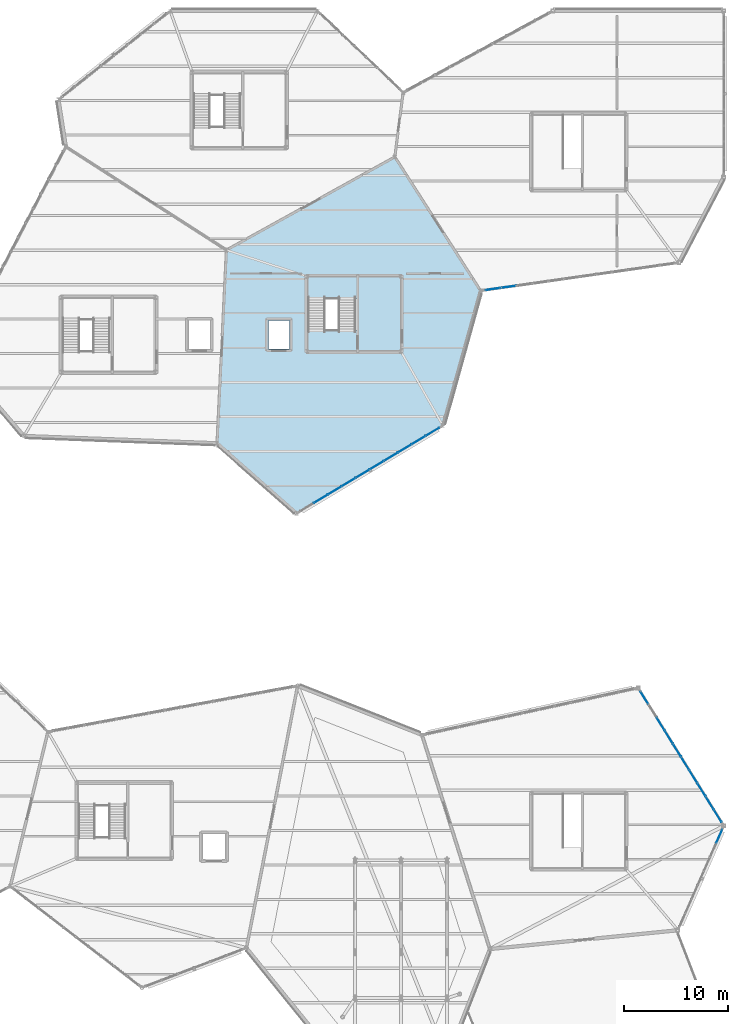
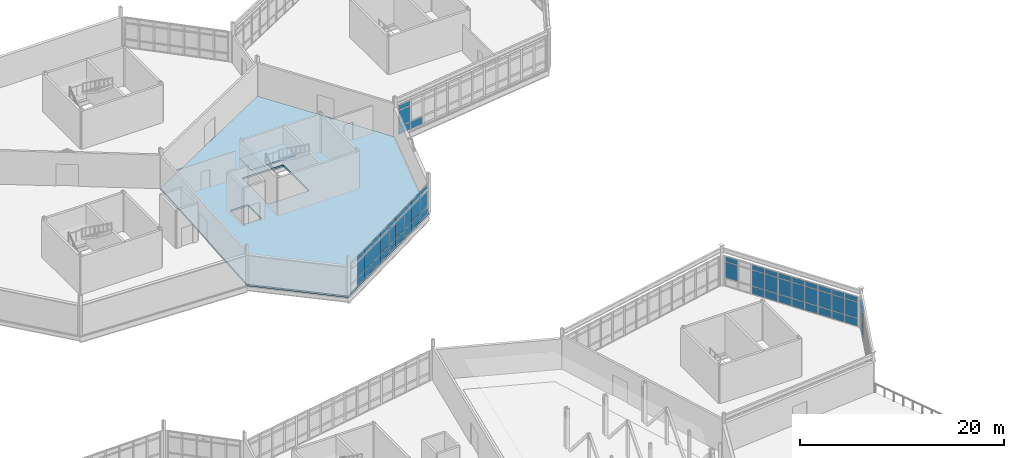
# One storey, part 81 of 114: 60 plates, 2 slabs, 5 elements without a shape of their own.
"""IFC4 building model written with IfcOpenShell, lengths in metres."""

from ifc_helpers import new_model, si_unit, direction, frame, origin, origin_2d, place, context, subcontext, project, spatial, polyline, rectangle, outline, extrude, material, layer, layer_set, type_object, element, aggregate, save


model = new_model("IFC4")

# Units and contexts
model_context = context("Model", 3, precision=1e-05, world=origin(), true_north=direction((0.0, 1.0)))
body_context = subcontext(model_context, "Body", "Model", "MODEL_VIEW")
ifc_project = project(units=[si_unit("LENGTHUNIT", "METRE"), si_unit("AREAUNIT", "SQUARE_METRE"), si_unit("VOLUMEUNIT", "CUBIC_METRE"), si_unit("PLANEANGLEUNIT", "RADIAN"), si_unit("MASSUNIT", "GRAM", prefix="KILO")], contexts=[model_context])

# Site, building, storey
site_placement = place(None, origin())
site = spatial("IfcSite", under=ifc_project, at=site_placement, CompositionType="ELEMENT")
building_placement = place(site_placement, origin())
building = spatial("IfcBuilding", under=site, at=building_placement, Name="Tameran Prism Museum", CompositionType="ELEMENT")
storey_placement = place(building_placement, frame((0.0, 0.0, 10.199951171875)))
storey = spatial("IfcBuildingStorey", under=building, at=storey_placement, Name="L02", CompositionType="ELEMENT", Elevation=10.199951171875)

# Curtain wall, plates
ifc_material_1 = material(Name="Anodised Aluminium 6063-T6 and Cyclone Solar Glass", Category="aluminium")
curtain_wall_type_1 = type_object("IfcCurtainWallType", Name="CW-FAC-1563x362", PredefinedType="USERDEFINED", material=ifc_material_1)
curtain_wall_1_placement = place(storey_placement, origin())
curtain_wall_1 = element("IfcCurtainWall", 1, at=curtain_wall_1_placement, inside=storey, type_object=curtain_wall_type_1, Name="Unitised Curtain Wall CW-099", ObjectType="UNITISED CURTAIN WALL", PredefinedType="USERDEFINED")
ifc_material_2 = material(Name="Low-E Laminated Solar Glass", Category="glass")
ifc_layer_1 = layer(ifc_material_2, 0.028076171875)
ifc_layer_set_1 = layer_set([ifc_layer_1])
plate_type_1 = type_object("IfcPlateType", Name="CW-PNL-G28", PredefinedType="CURTAIN_PANEL", material=ifc_layer_set_1)
plate_1_placement = place(storey_placement, frame((138.51611328125, 71.709716796875, 0.06494140625), z_axis=(0.0, 0.0, 1.0), x_axis=(-0.857492925713, -0.514495755426, 0.0)))
plate_1 = element("IfcPlate", 2, at=plate_1_placement, type_object=plate_type_1, Name="CW-099 panel 1.1", PredefinedType="CURTAIN_PANEL", context=body_context, shape_type="SweptSolid", body=[
    extrude(rectangle(XDim=1.465087890625, YDim=0.028076171875, at=origin_2d()), origin(), (0.0, 0.0, 1.0), 0.902587890625),
])
plate_2_placement = place(storey_placement, frame((138.51611328125, 71.709716796875, 1.032470703125), z_axis=(0.0, 0.0, 1.0), x_axis=(-0.857492925713, -0.514495755426, 0.0)))
plate_2 = element("IfcPlate", 3, at=plate_2_placement, type_object=plate_type_1, Name="CW-099 panel 1.2", PredefinedType="CURTAIN_PANEL", context=body_context, shape_type="SweptSolid", body=[
    extrude(rectangle(XDim=1.465087890625, YDim=0.028076171875, at=origin_2d()), origin(), (0.0, 0.0, 1.0), 1.875),
])
plate_3_placement = place(storey_placement, frame((138.51611328125, 71.709716796875, 2.97265625), z_axis=(0.0, 0.0, 1.0), x_axis=(-0.857492925713, -0.514495755426, 0.0)))
plate_3 = element("IfcPlate", 4, at=plate_3_placement, type_object=plate_type_1, Name="CW-099 panel 1.3", PredefinedType="CURTAIN_PANEL", context=body_context, shape_type="SweptSolid", body=[
    extrude(rectangle(XDim=1.465087890625, YDim=0.028076171875, at=origin_2d()), origin(), (0.0, 0.0, 1.0), 0.58251953125),
])
plate_4_placement = place(storey_placement, frame((137.18994140625, 70.9140625, 0.06494140625), z_axis=(0.0, 0.0, 1.0), x_axis=(-0.857492925713, -0.514495755426, 0.0)))
plate_4 = element("IfcPlate", 5, at=plate_4_placement, type_object=plate_type_1, Name="CW-099 panel 2.1", PredefinedType="CURTAIN_PANEL", context=body_context, shape_type="SweptSolid", body=[
    extrude(rectangle(XDim=1.497802734375, YDim=0.028076171875, at=origin_2d()), origin(), (0.0, 0.0, 1.0), 0.902587890625),
])
plate_5_placement = place(storey_placement, frame((137.18994140625, 70.9140625, 1.032470703125), z_axis=(0.0, 0.0, 1.0), x_axis=(-0.857492925713, -0.514495755426, 0.0)))
plate_5 = element("IfcPlate", 6, at=plate_5_placement, type_object=plate_type_1, Name="CW-099 panel 2.2", PredefinedType="CURTAIN_PANEL", context=body_context, shape_type="SweptSolid", body=[
    extrude(rectangle(XDim=1.497802734375, YDim=0.028076171875, at=origin_2d()), origin(), (0.0, 0.0, 1.0), 1.875),
])
plate_6_placement = place(storey_placement, frame((137.18994140625, 70.9140625, 2.97265625), z_axis=(0.0, 0.0, 1.0), x_axis=(-0.857492925713, -0.514495755426, 0.0)))
plate_6 = element("IfcPlate", 7, at=plate_6_placement, type_object=plate_type_1, Name="CW-099 panel 2.3", PredefinedType="CURTAIN_PANEL", context=body_context, shape_type="SweptSolid", body=[
    extrude(rectangle(XDim=1.497802734375, YDim=0.028076171875, at=origin_2d()), origin(), (0.0, 0.0, 1.0), 0.58251953125),
])
plate_7_placement = place(storey_placement, frame((135.85009765625, 70.110107421875, 0.06494140625), z_axis=(0.0, 0.0, 1.0), x_axis=(-0.857492925713, -0.514495755426, 0.0)))
plate_7 = element("IfcPlate", 8, at=plate_7_placement, type_object=plate_type_1, Name="CW-099 panel 3.1", PredefinedType="CURTAIN_PANEL", context=body_context, shape_type="SweptSolid", body=[
    extrude(rectangle(XDim=1.497802734375, YDim=0.028076171875, at=origin_2d()), origin(), (0.0, 0.0, 1.0), 0.902587890625),
])
plate_8_placement = place(storey_placement, frame((135.85009765625, 70.110107421875, 1.032470703125), z_axis=(0.0, 0.0, 1.0), x_axis=(-0.857492925713, -0.514495755426, 0.0)))
plate_8 = element("IfcPlate", 9, at=plate_8_placement, type_object=plate_type_1, Name="CW-099 panel 3.2", PredefinedType="CURTAIN_PANEL", context=body_context, shape_type="SweptSolid", body=[
    extrude(rectangle(XDim=1.497802734375, YDim=0.028076171875, at=origin_2d()), origin(), (0.0, 0.0, 1.0), 1.875),
])
plate_9_placement = place(storey_placement, frame((135.85009765625, 70.110107421875, 2.97265625), z_axis=(0.0, 0.0, 1.0), x_axis=(-0.857492925713, -0.514495755426, 0.0)))
plate_9 = element("IfcPlate", 10, at=plate_9_placement, type_object=plate_type_1, Name="CW-099 panel 3.3", PredefinedType="CURTAIN_PANEL", context=body_context, shape_type="SweptSolid", body=[
    extrude(rectangle(XDim=1.497802734375, YDim=0.028076171875, at=origin_2d()), origin(), (0.0, 0.0, 1.0), 0.58251953125),
])
plate_10_placement = place(storey_placement, frame((134.510009765625, 69.305908203125, 0.06494140625), z_axis=(0.0, 0.0, 1.0), x_axis=(-0.857492925713, -0.514495755426, 0.0)))
plate_10 = element("IfcPlate", 11, at=plate_10_placement, type_object=plate_type_1, Name="CW-099 panel 4.1", PredefinedType="CURTAIN_PANEL", context=body_context, shape_type="SweptSolid", body=[
    extrude(rectangle(XDim=1.497802734375, YDim=0.028076171875, at=origin_2d()), origin(), (0.0, 0.0, 1.0), 0.902587890625),
])
plate_11_placement = place(storey_placement, frame((134.510009765625, 69.305908203125, 1.032470703125), z_axis=(0.0, 0.0, 1.0), x_axis=(-0.857492925713, -0.514495755426, 0.0)))
plate_11 = element("IfcPlate", 12, at=plate_11_placement, type_object=plate_type_1, Name="CW-099 panel 4.2", PredefinedType="CURTAIN_PANEL", context=body_context, shape_type="SweptSolid", body=[
    extrude(rectangle(XDim=1.497802734375, YDim=0.028076171875, at=origin_2d()), origin(), (0.0, 0.0, 1.0), 1.875),
])
plate_12_placement = place(storey_placement, frame((134.510009765625, 69.305908203125, 2.97265625), z_axis=(0.0, 0.0, 1.0), x_axis=(-0.857492925713, -0.514495755426, 0.0)))
plate_12 = element("IfcPlate", 13, at=plate_12_placement, type_object=plate_type_1, Name="CW-099 panel 4.3", PredefinedType="CURTAIN_PANEL", context=body_context, shape_type="SweptSolid", body=[
    extrude(rectangle(XDim=1.497802734375, YDim=0.028076171875, at=origin_2d()), origin(), (0.0, 0.0, 1.0), 0.58251953125),
])
plate_13_placement = place(storey_placement, frame((133.169921875, 68.501953125, 0.06494140625), z_axis=(0.0, 0.0, 1.0), x_axis=(-0.857492925713, -0.514495755426, 0.0)))
plate_13 = element("IfcPlate", 14, at=plate_13_placement, type_object=plate_type_1, Name="CW-099 panel 5.1", PredefinedType="CURTAIN_PANEL", context=body_context, shape_type="SweptSolid", body=[
    extrude(rectangle(XDim=1.497802734375, YDim=0.028076171875, at=origin_2d()), origin(), (0.0, 0.0, 1.0), 0.902587890625),
])
plate_14_placement = place(storey_placement, frame((133.169921875, 68.501953125, 1.032470703125), z_axis=(0.0, 0.0, 1.0), x_axis=(-0.857492925713, -0.514495755426, 0.0)))
plate_14 = element("IfcPlate", 15, at=plate_14_placement, type_object=plate_type_1, Name="CW-099 panel 5.2", PredefinedType="CURTAIN_PANEL", context=body_context, shape_type="SweptSolid", body=[
    extrude(rectangle(XDim=1.497802734375, YDim=0.028076171875, at=origin_2d()), origin(), (0.0, 0.0, 1.0), 1.875),
])
plate_15_placement = place(storey_placement, frame((133.169921875, 68.501953125, 2.97265625), z_axis=(0.0, 0.0, 1.0), x_axis=(-0.857492925713, -0.514495755426, 0.0)))
plate_15 = element("IfcPlate", 16, at=plate_15_placement, type_object=plate_type_1, Name="CW-099 panel 5.3", PredefinedType="CURTAIN_PANEL", context=body_context, shape_type="SweptSolid", body=[
    extrude(rectangle(XDim=1.497802734375, YDim=0.028076171875, at=origin_2d()), origin(), (0.0, 0.0, 1.0), 0.58251953125),
])
plate_16_placement = place(storey_placement, frame((131.830078125, 67.697998046875, 0.06494140625), z_axis=(0.0, 0.0, 1.0), x_axis=(-0.857492925713, -0.514495755426, 0.0)))
plate_16 = element("IfcPlate", 17, at=plate_16_placement, type_object=plate_type_1, Name="CW-099 panel 6.1", PredefinedType="CURTAIN_PANEL", context=body_context, shape_type="SweptSolid", body=[
    extrude(rectangle(XDim=1.497802734375, YDim=0.028076171875, at=origin_2d()), origin(), (0.0, 0.0, 1.0), 0.902587890625),
])
plate_17_placement = place(storey_placement, frame((131.830078125, 67.697998046875, 1.032470703125), z_axis=(0.0, 0.0, 1.0), x_axis=(-0.857492925713, -0.514495755426, 0.0)))
plate_17 = element("IfcPlate", 18, at=plate_17_placement, type_object=plate_type_1, Name="CW-099 panel 6.2", PredefinedType="CURTAIN_PANEL", context=body_context, shape_type="SweptSolid", body=[
    extrude(rectangle(XDim=1.497802734375, YDim=0.028076171875, at=origin_2d()), origin(), (0.0, 0.0, 1.0), 1.875),
])
plate_18_placement = place(storey_placement, frame((131.830078125, 67.697998046875, 2.97265625), z_axis=(0.0, 0.0, 1.0), x_axis=(-0.857492925713, -0.514495755426, 0.0)))
plate_18 = element("IfcPlate", 19, at=plate_18_placement, type_object=plate_type_1, Name="CW-099 panel 6.3", PredefinedType="CURTAIN_PANEL", context=body_context, shape_type="SweptSolid", body=[
    extrude(rectangle(XDim=1.497802734375, YDim=0.028076171875, at=origin_2d()), origin(), (0.0, 0.0, 1.0), 0.58251953125),
])
plate_19_placement = place(storey_placement, frame((130.489990234375, 66.89404296875, 0.06494140625), z_axis=(0.0, 0.0, 1.0), x_axis=(-0.857492925713, -0.514495755426, 0.0)))
plate_19 = element("IfcPlate", 20, at=plate_19_placement, type_object=plate_type_1, Name="CW-099 panel 7.1", PredefinedType="CURTAIN_PANEL", context=body_context, shape_type="SweptSolid", body=[
    extrude(rectangle(XDim=1.497802734375, YDim=0.028076171875, at=origin_2d()), origin(), (0.0, 0.0, 1.0), 0.902587890625),
])
plate_20_placement = place(storey_placement, frame((130.489990234375, 66.89404296875, 1.032470703125), z_axis=(0.0, 0.0, 1.0), x_axis=(-0.857492925713, -0.514495755426, 0.0)))
plate_20 = element("IfcPlate", 21, at=plate_20_placement, type_object=plate_type_1, Name="CW-099 panel 7.2", PredefinedType="CURTAIN_PANEL", context=body_context, shape_type="SweptSolid", body=[
    extrude(rectangle(XDim=1.497802734375, YDim=0.028076171875, at=origin_2d()), origin(), (0.0, 0.0, 1.0), 1.875),
])
plate_21_placement = place(storey_placement, frame((130.489990234375, 66.89404296875, 2.97265625), z_axis=(0.0, 0.0, 1.0), x_axis=(-0.857492925713, -0.514495755426, 0.0)))
plate_21 = element("IfcPlate", 22, at=plate_21_placement, type_object=plate_type_1, Name="CW-099 panel 7.3", PredefinedType="CURTAIN_PANEL", context=body_context, shape_type="SweptSolid", body=[
    extrude(rectangle(XDim=1.497802734375, YDim=0.028076171875, at=origin_2d()), origin(), (0.0, 0.0, 1.0), 0.58251953125),
])
plate_22_placement = place(storey_placement, frame((129.14990234375, 66.090087890625, 0.06494140625), z_axis=(0.0, 0.0, 1.0), x_axis=(-0.857492925713, -0.514495755426, 0.0)))
plate_22 = element("IfcPlate", 23, at=plate_22_placement, type_object=plate_type_1, Name="CW-099 panel 8.1", PredefinedType="CURTAIN_PANEL", context=body_context, shape_type="SweptSolid", body=[
    extrude(rectangle(XDim=1.497802734375, YDim=0.028076171875, at=origin_2d()), origin(), (0.0, 0.0, 1.0), 0.902587890625),
])
plate_23_placement = place(storey_placement, frame((129.14990234375, 66.090087890625, 1.032470703125), z_axis=(0.0, 0.0, 1.0), x_axis=(-0.857492925713, -0.514495755426, 0.0)))
plate_23 = element("IfcPlate", 24, at=plate_23_placement, type_object=plate_type_1, Name="CW-099 panel 8.2", PredefinedType="CURTAIN_PANEL", context=body_context, shape_type="SweptSolid", body=[
    extrude(rectangle(XDim=1.497802734375, YDim=0.028076171875, at=origin_2d()), origin(), (0.0, 0.0, 1.0), 1.875),
])
plate_24_placement = place(storey_placement, frame((129.14990234375, 66.090087890625, 2.97265625), z_axis=(0.0, 0.0, 1.0), x_axis=(-0.857492925713, -0.514495755426, 0.0)))
plate_24 = element("IfcPlate", 25, at=plate_24_placement, type_object=plate_type_1, Name="CW-099 panel 8.3", PredefinedType="CURTAIN_PANEL", context=body_context, shape_type="SweptSolid", body=[
    extrude(rectangle(XDim=1.497802734375, YDim=0.028076171875, at=origin_2d()), origin(), (0.0, 0.0, 1.0), 0.58251953125),
])
plate_25_placement = place(storey_placement, frame((127.81005859375, 65.285888671875, 0.06494140625), z_axis=(0.0, 0.0, 1.0), x_axis=(-0.857492925713, -0.514495755426, 0.0)))
plate_25 = element("IfcPlate", 26, at=plate_25_placement, type_object=plate_type_1, Name="CW-099 panel 9.1", PredefinedType="CURTAIN_PANEL", context=body_context, shape_type="SweptSolid", body=[
    extrude(rectangle(XDim=1.497802734375, YDim=0.028076171875, at=origin_2d()), origin(), (0.0, 0.0, 1.0), 0.902587890625),
])
plate_26_placement = place(storey_placement, frame((127.81005859375, 65.285888671875, 1.032470703125), z_axis=(0.0, 0.0, 1.0), x_axis=(-0.857492925713, -0.514495755426, 0.0)))
plate_26 = element("IfcPlate", 27, at=plate_26_placement, type_object=plate_type_1, Name="CW-099 panel 9.2", PredefinedType="CURTAIN_PANEL", context=body_context, shape_type="SweptSolid", body=[
    extrude(rectangle(XDim=1.497802734375, YDim=0.028076171875, at=origin_2d()), origin(), (0.0, 0.0, 1.0), 1.875),
])
plate_27_placement = place(storey_placement, frame((127.81005859375, 65.285888671875, 2.97265625), z_axis=(0.0, 0.0, 1.0), x_axis=(-0.857492925713, -0.514495755426, 0.0)))
plate_27 = element("IfcPlate", 28, at=plate_27_placement, type_object=plate_type_1, Name="CW-099 panel 9.3", PredefinedType="CURTAIN_PANEL", context=body_context, shape_type="SweptSolid", body=[
    extrude(rectangle(XDim=1.497802734375, YDim=0.028076171875, at=origin_2d()), origin(), (0.0, 0.0, 1.0), 0.58251953125),
])
aggregate(curtain_wall_1, [plate_1, plate_2, plate_3, plate_4, plate_5, plate_6, plate_7, plate_8, plate_9, plate_10, plate_11, plate_12, plate_13, plate_14, plate_15, plate_16, plate_17, plate_18, plate_19, plate_20, plate_21, plate_22, plate_23, plate_24, plate_25, plate_26, plate_27])

ifc_material_3 = material(Name="Anodised Aluminium 6063-T6 and Cyclone Solar Glass", Category="aluminium")
curtain_wall_type_2 = type_object("IfcCurtainWallType", Name="CW-FAC-1843x362", PredefinedType="USERDEFINED", material=ifc_material_3)
curtain_wall_2_placement = place(storey_placement, origin())
curtain_wall_2 = element("IfcCurtainWall", 29, at=curtain_wall_2_placement, inside=storey, type_object=curtain_wall_type_2, Name="Unitised Curtain Wall CW-102", ObjectType="UNITISED CURTAIN WALL", PredefinedType="USERDEFINED")
plate_28_placement = place(storey_placement, frame((145.786865234375, 85.581298828125, 0.080078125), z_axis=(0.0, 0.0, 1.0), x_axis=(-0.990045842067, -0.1407452685, 0.0)))
plate_28 = element("IfcPlate", 30, at=plate_28_placement, type_object=plate_type_1, Name="CW-102 panel 11.1", PredefinedType="CURTAIN_PANEL", context=body_context, shape_type="SweptSolid", body=[
    extrude(rectangle(XDim=1.455810546875, YDim=0.028076171875, at=origin_2d()), origin(), (0.0, 0.0, 1.0), 0.8798828125),
])
plate_29_placement = place(storey_placement, frame((144.2861328125, 85.367919921875, 0.080078125), z_axis=(0.0, 0.0, 1.0), x_axis=(-0.990045842067, -0.1407452685, 0.0)))
plate_29 = element("IfcPlate", 31, at=plate_29_placement, type_object=plate_type_1, Name="CW-102 panel 12.1", PredefinedType="CURTAIN_PANEL", context=body_context, shape_type="SweptSolid", body=[
    extrude(rectangle(XDim=1.415771484375, YDim=0.028076171875, at=origin_2d()), origin(), (0.0, 0.0, 1.0), 0.8798828125),
])
plate_30_placement = place(storey_placement, frame((144.2861328125, 85.367919921875, 1.0400390625), z_axis=(0.0, 0.0, 1.0), x_axis=(-0.990045842067, -0.1407452685, 0.0)))
plate_30 = element("IfcPlate", 32, at=plate_30_placement, type_object=plate_type_1, Name="CW-102 panel 12.2", PredefinedType="CURTAIN_PANEL", context=body_context, shape_type="SweptSolid", body=[
    extrude(rectangle(XDim=1.415771484375, YDim=0.028076171875, at=origin_2d()), origin(), (0.0, 0.0, 1.0), 1.860107421875),
])
plate_31_placement = place(storey_placement, frame((144.2861328125, 85.367919921875, 2.97998046875), z_axis=(0.0, 0.0, 1.0), x_axis=(-0.990045842067, -0.1407452685, 0.0)))
plate_31 = element("IfcPlate", 33, at=plate_31_placement, type_object=plate_type_1, Name="CW-102 panel 12.3", PredefinedType="CURTAIN_PANEL", context=body_context, shape_type="SweptSolid", body=[
    extrude(rectangle(XDim=1.415771484375, YDim=0.028076171875, at=origin_2d()), origin(), (0.0, 0.0, 1.0), 0.56005859375),
])
aggregate(curtain_wall_2, [plate_28, plate_29, plate_30, plate_31])

ifc_material_4 = material(Name="Anodised Aluminium 6063-T6 and Cyclone Solar Glass", Category="aluminium")
curtain_wall_type_3 = type_object("IfcCurtainWallType", Name="CW-FAC-1022x362", PredefinedType="USERDEFINED", material=ifc_material_4)
curtain_wall_3_placement = place(storey_placement, origin())
curtain_wall_3 = element("IfcCurtainWall", 34, at=curtain_wall_3_placement, inside=storey, type_object=curtain_wall_type_3, Name="Unitised Curtain Wall CW-127", ObjectType="UNITISED CURTAIN WALL", PredefinedType="USERDEFINED")
plate_32_placement = place(storey_placement, frame((165.958251953125, 32.99658203125, 0.06494140625), z_axis=(0.0, 0.0, 1.0), x_axis=(-0.402705842024, -0.915329451509, 0.0)))
plate_32 = element("IfcPlate", 35, at=plate_32_placement, type_object=plate_type_1, Name="CW-127 panel 1.1", PredefinedType="CURTAIN_PANEL", context=body_context, shape_type="SweptSolid", body=[
    extrude(rectangle(XDim=1.36328125, YDim=0.028076171875, at=origin_2d()), origin(), (0.0, 0.0, 1.0), 0.902587890625),
])
plate_33_placement = place(storey_placement, frame((165.958251953125, 32.99658203125, 1.032470703125), z_axis=(0.0, 0.0, 1.0), x_axis=(-0.402705842024, -0.915329451509, 0.0)))
plate_33 = element("IfcPlate", 36, at=plate_33_placement, type_object=plate_type_1, Name="CW-127 panel 1.2", PredefinedType="CURTAIN_PANEL", context=body_context, shape_type="SweptSolid", body=[
    extrude(rectangle(XDim=1.36328125, YDim=0.028076171875, at=origin_2d()), origin(), (0.0, 0.0, 1.0), 1.875),
])
plate_34_placement = place(storey_placement, frame((165.958251953125, 32.99658203125, 2.97265625), z_axis=(0.0, 0.0, 1.0), x_axis=(-0.402705842024, -0.915329451509, 0.0)))
plate_34 = element("IfcPlate", 37, at=plate_34_placement, type_object=plate_type_1, Name="CW-127 panel 1.3", PredefinedType="CURTAIN_PANEL", context=body_context, shape_type="SweptSolid", body=[
    extrude(rectangle(XDim=1.36328125, YDim=0.028076171875, at=origin_2d()), origin(), (0.0, 0.0, 1.0), 0.58251953125),
])
aggregate(curtain_wall_3, [plate_32, plate_33, plate_34])

ifc_material_5 = material(Name="Anodised Aluminium 6063-T6 and Cyclone Solar Glass", Category="aluminium")
curtain_wall_type_4 = type_object("IfcCurtainWallType", Name="CW-FAC-1484x362", PredefinedType="USERDEFINED", material=ifc_material_5)
curtain_wall_4_placement = place(storey_placement, origin())
curtain_wall_4 = element("IfcCurtainWall", 38, at=curtain_wall_4_placement, inside=storey, type_object=curtain_wall_type_4, Name="Unitised Curtain Wall CW-128", ObjectType="UNITISED CURTAIN WALL", PredefinedType="USERDEFINED")
ifc_material_6 = material(Name="Cyclone Laminated Solar Glass", Category="glass")
ifc_layer_2 = layer(ifc_material_6, 0.031982421875)
ifc_layer_set_2 = layer_set([ifc_layer_2])
plate_type_2 = type_object("IfcPlateType", Name="CW-PNL-G32", PredefinedType="CURTAIN_PANEL", material=ifc_layer_set_2)
plate_35_placement = place(storey_placement, frame((158.78564453125, 46.2578125, 1.034912109375), z_axis=(0.0, 0.0, 1.0), x_axis=(0.527634577931, -0.849471454595, 0.0)))
plate_35 = element("IfcPlate", 39, at=plate_35_placement, type_object=plate_type_2, Name="CW-128 panel 1.2", PredefinedType="CURTAIN_PANEL", context=body_context, shape_type="SweptSolid", body=[
    extrude(rectangle(XDim=1.37890625, YDim=0.031982421875, at=origin_2d()), origin(), (0.0, 0.0, 1.0), 1.8701171875),
])
plate_36_placement = place(storey_placement, frame((158.78564453125, 46.2578125, 2.97509765625), z_axis=(0.0, 0.0, 1.0), x_axis=(0.527634577931, -0.849471454595, 0.0)))
plate_36 = element("IfcPlate", 40, at=plate_36_placement, type_object=plate_type_2, Name="CW-128 panel 1.3", PredefinedType="CURTAIN_PANEL", context=body_context, shape_type="SweptSolid", body=[
    extrude(rectangle(XDim=1.37890625, YDim=0.031982421875, at=origin_2d()), origin(), (0.0, 0.0, 1.0), 0.574951171875),
])
plate_37_placement = place(storey_placement, frame((160.342529296875, 43.75146484375, 0.070068359375), z_axis=(0.0, 0.0, 1.0), x_axis=(0.527634577931, -0.849471454595, 0.0)))
plate_37 = element("IfcPlate", 41, at=plate_37_placement, type_object=plate_type_2, Name="CW-128 panel 3.1", PredefinedType="CURTAIN_PANEL", context=body_context, shape_type="SweptSolid", body=[
    extrude(rectangle(XDim=1.4140625, YDim=0.031982421875, at=origin_2d()), origin(), (0.0, 0.0, 1.0), 0.89501953125),
])
plate_38_placement = place(storey_placement, frame((160.342529296875, 43.75146484375, 1.034912109375), z_axis=(0.0, 0.0, 1.0), x_axis=(0.527634577931, -0.849471454595, 0.0)))
plate_38 = element("IfcPlate", 42, at=plate_38_placement, type_object=plate_type_2, Name="CW-128 panel 3.2", PredefinedType="CURTAIN_PANEL", context=body_context, shape_type="SweptSolid", body=[
    extrude(rectangle(XDim=1.4140625, YDim=0.031982421875, at=origin_2d()), origin(), (0.0, 0.0, 1.0), 1.8701171875),
])
plate_39_placement = place(storey_placement, frame((160.342529296875, 43.75146484375, 2.97509765625), z_axis=(0.0, 0.0, 1.0), x_axis=(0.527634577931, -0.849471454595, 0.0)))
plate_39 = element("IfcPlate", 43, at=plate_39_placement, type_object=plate_type_2, Name="CW-128 panel 3.3", PredefinedType="CURTAIN_PANEL", context=body_context, shape_type="SweptSolid", body=[
    extrude(rectangle(XDim=1.4140625, YDim=0.031982421875, at=origin_2d()), origin(), (0.0, 0.0, 1.0), 0.574951171875),
])
plate_40_placement = place(storey_placement, frame((161.12548828125, 42.490966796875, 0.070068359375), z_axis=(0.0, 0.0, 1.0), x_axis=(0.527634577931, -0.849471454595, 0.0)))
plate_40 = element("IfcPlate", 44, at=plate_40_placement, type_object=plate_type_2, Name="CW-128 panel 4.1", PredefinedType="CURTAIN_PANEL", context=body_context, shape_type="SweptSolid", body=[
    extrude(rectangle(XDim=1.4140625, YDim=0.031982421875, at=origin_2d()), origin(), (0.0, 0.0, 1.0), 0.89501953125),
])
plate_41_placement = place(storey_placement, frame((161.12548828125, 42.490966796875, 1.034912109375), z_axis=(0.0, 0.0, 1.0), x_axis=(0.527634577931, -0.849471454595, 0.0)))
plate_41 = element("IfcPlate", 45, at=plate_41_placement, type_object=plate_type_2, Name="CW-128 panel 4.2", PredefinedType="CURTAIN_PANEL", context=body_context, shape_type="SweptSolid", body=[
    extrude(rectangle(XDim=1.4140625, YDim=0.031982421875, at=origin_2d()), origin(), (0.0, 0.0, 1.0), 1.8701171875),
])
plate_42_placement = place(storey_placement, frame((161.12548828125, 42.490966796875, 2.97509765625), z_axis=(0.0, 0.0, 1.0), x_axis=(0.527634577931, -0.849471454595, 0.0)))
plate_42 = element("IfcPlate", 46, at=plate_42_placement, type_object=plate_type_2, Name="CW-128 panel 4.3", PredefinedType="CURTAIN_PANEL", context=body_context, shape_type="SweptSolid", body=[
    extrude(rectangle(XDim=1.4140625, YDim=0.031982421875, at=origin_2d()), origin(), (0.0, 0.0, 1.0), 0.574951171875),
])
plate_43_placement = place(storey_placement, frame((161.908447265625, 41.230224609375, 0.070068359375), z_axis=(0.0, 0.0, 1.0), x_axis=(0.527634577931, -0.849471454595, 0.0)))
plate_43 = element("IfcPlate", 47, at=plate_43_placement, type_object=plate_type_2, Name="CW-128 panel 5.1", PredefinedType="CURTAIN_PANEL", context=body_context, shape_type="SweptSolid", body=[
    extrude(rectangle(XDim=1.4140625, YDim=0.031982421875, at=origin_2d()), origin(), (0.0, 0.0, 1.0), 0.89501953125),
])
plate_44_placement = place(storey_placement, frame((161.908447265625, 41.230224609375, 1.034912109375), z_axis=(0.0, 0.0, 1.0), x_axis=(0.527634577931, -0.849471454595, 0.0)))
plate_44 = element("IfcPlate", 48, at=plate_44_placement, type_object=plate_type_2, Name="CW-128 panel 5.2", PredefinedType="CURTAIN_PANEL", context=body_context, shape_type="SweptSolid", body=[
    extrude(rectangle(XDim=1.4140625, YDim=0.031982421875, at=origin_2d()), origin(), (0.0, 0.0, 1.0), 1.8701171875),
])
plate_45_placement = place(storey_placement, frame((161.908447265625, 41.230224609375, 2.97509765625), z_axis=(0.0, 0.0, 1.0), x_axis=(0.527634577931, -0.849471454595, 0.0)))
plate_45 = element("IfcPlate", 49, at=plate_45_placement, type_object=plate_type_2, Name="CW-128 panel 5.3", PredefinedType="CURTAIN_PANEL", context=body_context, shape_type="SweptSolid", body=[
    extrude(rectangle(XDim=1.4140625, YDim=0.031982421875, at=origin_2d()), origin(), (0.0, 0.0, 1.0), 0.574951171875),
])
plate_46_placement = place(storey_placement, frame((162.69140625, 39.9697265625, 0.070068359375), z_axis=(0.0, 0.0, 1.0), x_axis=(0.527634577931, -0.849471454595, 0.0)))
plate_46 = element("IfcPlate", 50, at=plate_46_placement, type_object=plate_type_2, Name="CW-128 panel 6.1", PredefinedType="CURTAIN_PANEL", context=body_context, shape_type="SweptSolid", body=[
    extrude(rectangle(XDim=1.4140625, YDim=0.031982421875, at=origin_2d()), origin(), (0.0, 0.0, 1.0), 0.89501953125),
])
plate_47_placement = place(storey_placement, frame((162.69140625, 39.9697265625, 1.034912109375), z_axis=(0.0, 0.0, 1.0), x_axis=(0.527634577931, -0.849471454595, 0.0)))
plate_47 = element("IfcPlate", 51, at=plate_47_placement, type_object=plate_type_2, Name="CW-128 panel 6.2", PredefinedType="CURTAIN_PANEL", context=body_context, shape_type="SweptSolid", body=[
    extrude(rectangle(XDim=1.4140625, YDim=0.031982421875, at=origin_2d()), origin(), (0.0, 0.0, 1.0), 1.8701171875),
])
plate_48_placement = place(storey_placement, frame((162.69140625, 39.9697265625, 2.97509765625), z_axis=(0.0, 0.0, 1.0), x_axis=(0.527634577931, -0.849471454595, 0.0)))
plate_48 = element("IfcPlate", 52, at=plate_48_placement, type_object=plate_type_2, Name="CW-128 panel 6.3", PredefinedType="CURTAIN_PANEL", context=body_context, shape_type="SweptSolid", body=[
    extrude(rectangle(XDim=1.4140625, YDim=0.031982421875, at=origin_2d()), origin(), (0.0, 0.0, 1.0), 0.574951171875),
])
plate_49_placement = place(storey_placement, frame((163.474609375, 38.708984375, 0.070068359375), z_axis=(0.0, 0.0, 1.0), x_axis=(0.527634577931, -0.849471454595, 0.0)))
plate_49 = element("IfcPlate", 53, at=plate_49_placement, type_object=plate_type_2, Name="CW-128 panel 7.1", PredefinedType="CURTAIN_PANEL", context=body_context, shape_type="SweptSolid", body=[
    extrude(rectangle(XDim=1.4140625, YDim=0.031982421875, at=origin_2d()), origin(), (0.0, 0.0, 1.0), 0.89501953125),
])
plate_50_placement = place(storey_placement, frame((163.474609375, 38.708984375, 1.034912109375), z_axis=(0.0, 0.0, 1.0), x_axis=(0.527634577931, -0.849471454595, 0.0)))
plate_50 = element("IfcPlate", 54, at=plate_50_placement, type_object=plate_type_2, Name="CW-128 panel 7.2", PredefinedType="CURTAIN_PANEL", context=body_context, shape_type="SweptSolid", body=[
    extrude(rectangle(XDim=1.4140625, YDim=0.031982421875, at=origin_2d()), origin(), (0.0, 0.0, 1.0), 1.8701171875),
])
plate_51_placement = place(storey_placement, frame((163.474609375, 38.708984375, 2.97509765625), z_axis=(0.0, 0.0, 1.0), x_axis=(0.527634577931, -0.849471454595, 0.0)))
plate_51 = element("IfcPlate", 55, at=plate_51_placement, type_object=plate_type_2, Name="CW-128 panel 7.3", PredefinedType="CURTAIN_PANEL", context=body_context, shape_type="SweptSolid", body=[
    extrude(rectangle(XDim=1.4140625, YDim=0.031982421875, at=origin_2d()), origin(), (0.0, 0.0, 1.0), 0.574951171875),
])
plate_52_placement = place(storey_placement, frame((164.257568359375, 37.448486328125, 0.070068359375), z_axis=(0.0, 0.0, 1.0), x_axis=(0.527634577931, -0.849471454595, 0.0)))
plate_52 = element("IfcPlate", 56, at=plate_52_placement, type_object=plate_type_2, Name="CW-128 panel 8.1", PredefinedType="CURTAIN_PANEL", context=body_context, shape_type="SweptSolid", body=[
    extrude(rectangle(XDim=1.4140625, YDim=0.031982421875, at=origin_2d()), origin(), (0.0, 0.0, 1.0), 0.89501953125),
])
plate_53_placement = place(storey_placement, frame((164.257568359375, 37.448486328125, 1.034912109375), z_axis=(0.0, 0.0, 1.0), x_axis=(0.527634577931, -0.849471454595, 0.0)))
plate_53 = element("IfcPlate", 57, at=plate_53_placement, type_object=plate_type_2, Name="CW-128 panel 8.2", PredefinedType="CURTAIN_PANEL", context=body_context, shape_type="SweptSolid", body=[
    extrude(rectangle(XDim=1.4140625, YDim=0.031982421875, at=origin_2d()), origin(), (0.0, 0.0, 1.0), 1.8701171875),
])
plate_54_placement = place(storey_placement, frame((164.257568359375, 37.448486328125, 2.97509765625), z_axis=(0.0, 0.0, 1.0), x_axis=(0.527634577931, -0.849471454595, 0.0)))
plate_54 = element("IfcPlate", 58, at=plate_54_placement, type_object=plate_type_2, Name="CW-128 panel 8.3", PredefinedType="CURTAIN_PANEL", context=body_context, shape_type="SweptSolid", body=[
    extrude(rectangle(XDim=1.4140625, YDim=0.031982421875, at=origin_2d()), origin(), (0.0, 0.0, 1.0), 0.574951171875),
])
plate_55_placement = place(storey_placement, frame((165.04052734375, 36.18798828125, 0.070068359375), z_axis=(0.0, 0.0, 1.0), x_axis=(0.527634577931, -0.849471454595, 0.0)))
plate_55 = element("IfcPlate", 59, at=plate_55_placement, type_object=plate_type_2, Name="CW-128 panel 9.1", PredefinedType="CURTAIN_PANEL", context=body_context, shape_type="SweptSolid", body=[
    extrude(rectangle(XDim=1.4140625, YDim=0.031982421875, at=origin_2d()), origin(), (0.0, 0.0, 1.0), 0.89501953125),
])
plate_56_placement = place(storey_placement, frame((165.04052734375, 36.18798828125, 1.034912109375), z_axis=(0.0, 0.0, 1.0), x_axis=(0.527634577931, -0.849471454595, 0.0)))
plate_56 = element("IfcPlate", 60, at=plate_56_placement, type_object=plate_type_2, Name="CW-128 panel 9.2", PredefinedType="CURTAIN_PANEL", context=body_context, shape_type="SweptSolid", body=[
    extrude(rectangle(XDim=1.4140625, YDim=0.031982421875, at=origin_2d()), origin(), (0.0, 0.0, 1.0), 1.8701171875),
])
plate_57_placement = place(storey_placement, frame((165.04052734375, 36.18798828125, 2.97509765625), z_axis=(0.0, 0.0, 1.0), x_axis=(0.527634577931, -0.849471454595, 0.0)))
plate_57 = element("IfcPlate", 61, at=plate_57_placement, type_object=plate_type_2, Name="CW-128 panel 9.3", PredefinedType="CURTAIN_PANEL", context=body_context, shape_type="SweptSolid", body=[
    extrude(rectangle(XDim=1.4140625, YDim=0.031982421875, at=origin_2d()), origin(), (0.0, 0.0, 1.0), 0.574951171875),
])
plate_58_placement = place(storey_placement, frame((165.814208984375, 34.942138671875, 0.070068359375), z_axis=(0.0, 0.0, 1.0), x_axis=(0.527634577931, -0.849471454595, 0.0)))
plate_58 = element("IfcPlate", 62, at=plate_58_placement, type_object=plate_type_2, Name="CW-128 panel 10.1", PredefinedType="CURTAIN_PANEL", context=body_context, shape_type="SweptSolid", body=[
    extrude(rectangle(XDim=1.37890625, YDim=0.031982421875, at=origin_2d()), origin(), (0.0, 0.0, 1.0), 0.89501953125),
])
plate_59_placement = place(storey_placement, frame((165.814208984375, 34.942138671875, 1.034912109375), z_axis=(0.0, 0.0, 1.0), x_axis=(0.527634577931, -0.849471454595, 0.0)))
plate_59 = element("IfcPlate", 63, at=plate_59_placement, type_object=plate_type_2, Name="CW-128 panel 10.2", PredefinedType="CURTAIN_PANEL", context=body_context, shape_type="SweptSolid", body=[
    extrude(rectangle(XDim=1.37890625, YDim=0.031982421875, at=origin_2d()), origin(), (0.0, 0.0, 1.0), 1.8701171875),
])
plate_60_placement = place(storey_placement, frame((165.814208984375, 34.942138671875, 2.97509765625), z_axis=(0.0, 0.0, 1.0), x_axis=(0.527634577931, -0.849471454595, 0.0)))
plate_60 = element("IfcPlate", 64, at=plate_60_placement, type_object=plate_type_2, Name="CW-128 panel 10.3", PredefinedType="CURTAIN_PANEL", context=body_context, shape_type="SweptSolid", body=[
    extrude(rectangle(XDim=1.37890625, YDim=0.031982421875, at=origin_2d()), origin(), (0.0, 0.0, 1.0), 0.574951171875),
])
aggregate(curtain_wall_4, [plate_35, plate_36, plate_37, plate_38, plate_39, plate_40, plate_41, plate_42, plate_43, plate_44, plate_45, plate_46, plate_47, plate_48, plate_49, plate_50, plate_51, plate_52, plate_53, plate_54, plate_55, plate_56, plate_57, plate_58, plate_59, plate_60])

# Slab
ifc_material_7 = material(Name="Concrete N32 (32 MPa)", Category="concrete")
ifc_layer_3 = layer(ifc_material_7, 0.199951171875)
ifc_layer_set_3 = layer_set([ifc_layer_3])
slab_type_1 = type_object("IfcSlabType", Name="SL-FLR-200", PredefinedType="FLOOR", material=ifc_layer_set_3)
slab_1_placement = place(storey_placement, frame((0.0, 0.0, -0.199951171875)))
element("IfcSlab", 65, at=slab_1_placement, inside=storey, type_object=slab_type_1, Name="Floor Slab FS-P02-L02", PredefinedType="FLOOR", context=body_context, shape_type="SweptSolid", body=[
    extrude(outline(polyline([(118.800048828125, 89.10009765625), (134.89990234375, 98.0), (143.10009765625, 85.199951171875), (139.5, 72.300048828125), (125.5, 63.89990234375), (117.89990234375, 70.60009765625), (118.800048828125, 89.10009765625)]), holes=[polyline([(124.800048828125, 79.64990234375), (124.800048828125, 82.35009765625), (122.800048828125, 82.35009765625), (122.800048828125, 79.64990234375), (124.800048828125, 79.64990234375)]), polyline([(131.219970703125, 81.43994140625), (131.219970703125, 86.550048828125), (126.60009765625, 86.550048828125), (126.60009765625, 81.43994140625), (131.219970703125, 81.43994140625)])]), origin(), (0.0, 0.0, 1.0), 0.199951171875),
])

# Stair, slab
ifc_material_8 = material(Name="Concrete N40 (40 MPa)", Category="concrete")
stair_type = type_object("IfcStairType", Name="ST-CORE-48", PredefinedType="HALF_TURN_STAIR", material=ifc_material_8)
stair_placement = place(storey_placement, origin())
stair = element("IfcStair", 66, at=stair_placement, inside=storey, type_object=stair_type, Name="Fire-Isolated Stair ST-02-L02", PredefinedType="HALF_TURN_STAIR")
ifc_material_9 = material(Name="Concrete N40 (40 MPa)", Category="concrete")
ifc_layer_4 = layer(ifc_material_9, 0.18505859375)
ifc_layer_set_4 = layer_set([ifc_layer_4])
slab_type_2 = type_object("IfcSlabType", Name="SL-LND-185", PredefinedType="LANDING", material=ifc_layer_set_4)
slab_2_placement = place(storey_placement, frame((0.0, 0.0, 2.215087890625)))
slab_2 = element("IfcSlab", 67, at=slab_2_placement, type_object=slab_type_2, Name="ST-02-L02 landing 1", PredefinedType="LANDING", context=body_context, shape_type="SweptSolid", body=[
    extrude(outline(polyline([(126.3798828125, 84.4150390625), (131.3701171875, 84.4150390625), (131.3701171875, 86.719970703125), (126.3798828125, 86.719970703125), (126.3798828125, 84.4150390625)])), origin(), (0.0, 0.0, 1.0), 0.18505859375),
])
aggregate(stair, [slab_2])

save(model, "model.ifc")
